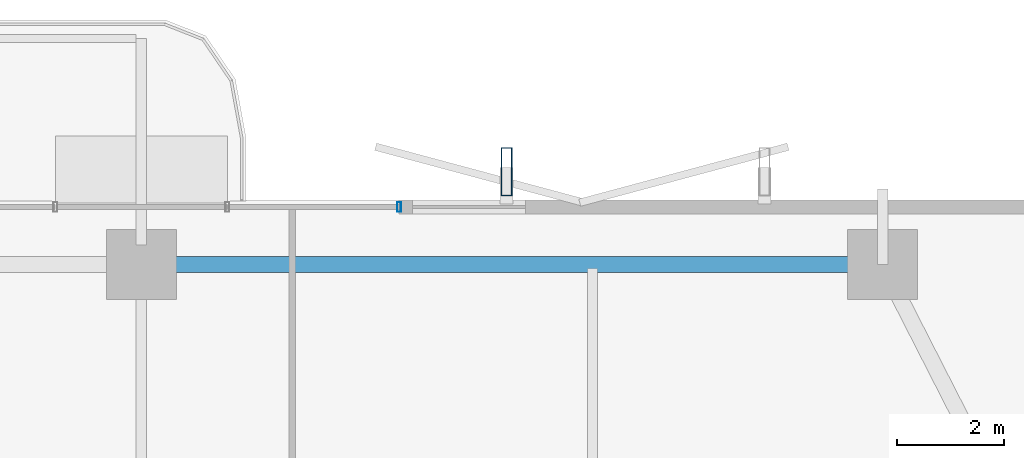
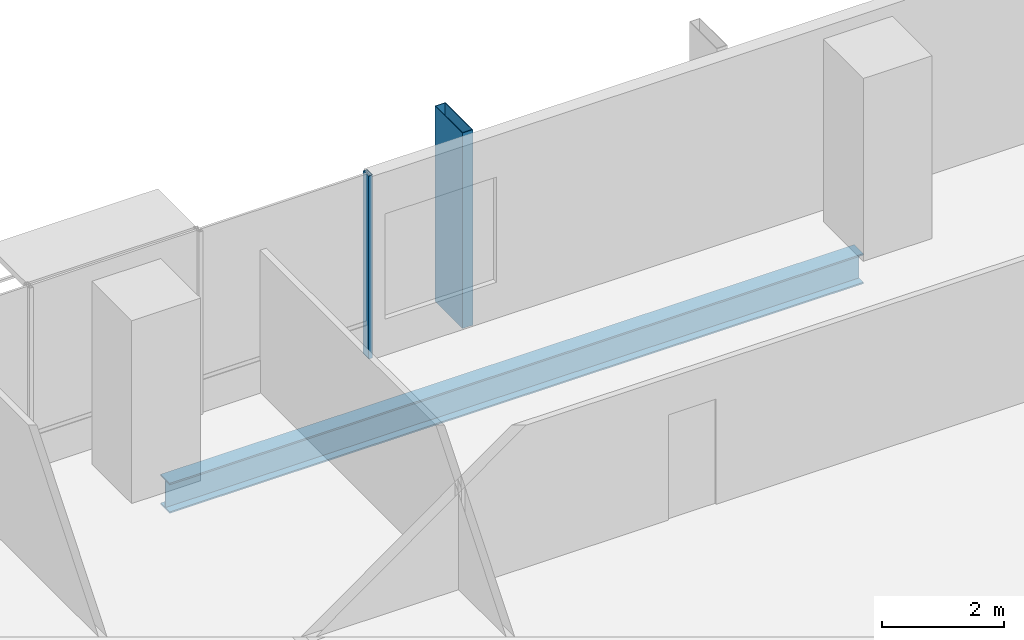
# One storey, part 15 of 24: 2 members, 1 beam, 1 element without a shape of its own.
"""IFC4 building model written with IfcOpenShell, lengths in metres."""

from ifc_helpers import new_model, si_unit, direction, frame, origin, origin_2d, place, context, subcontext, project, spatial, hollow_rectangle, i_section, extrude, material, layer, layer_set, material_profile, profile_set, type_object, element, aggregate, save


model = new_model("IFC4")

# Units and contexts
model_context = context("Model", 3, precision=1e-05, world=origin(), true_north=direction((0.0, 1.0)))
body_context = subcontext(model_context, "Body", "Model", "MODEL_VIEW")
ifc_project = project(units=[si_unit("LENGTHUNIT", "METRE"), si_unit("AREAUNIT", "SQUARE_METRE"), si_unit("VOLUMEUNIT", "CUBIC_METRE"), si_unit("PLANEANGLEUNIT", "RADIAN"), si_unit("MASSUNIT", "GRAM", prefix="KILO")], contexts=[model_context])

# Site, building, storey
site_placement = place(None, origin())
site = spatial("IfcSite", under=ifc_project, at=site_placement, CompositionType="ELEMENT")
building_placement = place(site_placement, origin())
building = spatial("IfcBuilding", under=site, at=building_placement, Name="Belovzor Exchange Tower", CompositionType="ELEMENT")
storey_placement = place(building_placement, frame((0.0, 0.0, 129.0)))
storey = spatial("IfcBuildingStorey", under=building, at=storey_placement, Name="L31", CompositionType="ELEMENT", Elevation=129.0)

# Member
ifc_material_1 = material(Name="Extruded Architectural Terracotta on Steel S355 Carrier", Category="masonry")
ifc_material_profile_1 = material_profile(ifc_material_1, hollow_rectangle(XDim=0.199951171875, YDim=0.89990234375, WallThickness=0.011962890625, at=origin_2d()))
ifc_profile_set_1 = profile_set([ifc_material_profile_1], Name="Extruded Architectural Terracotta on Steel S355 Carrier")
member_type_1 = type_object("IfcMemberType", Name="Sweeping Terracotta Baguette Fin Assembly 1250", PredefinedType="USERDEFINED", material=ifc_profile_set_1)
member_1_placement = place(storey_placement, frame((35.60009765625, 55.425048828125, -0.25), z_axis=(0.0, 0.0, 1.0), x_axis=(1.0, 0.0, 0.0)))
element("IfcMember", 1, at=member_1_placement, inside=storey, type_object=member_type_1, Name="FIN-TC125 Terracotta Facade Fin L31 N3", ObjectType="FIN", PredefinedType="USERDEFINED", context=body_context, shape_type="SweptSolid", body=[
    extrude(hollow_rectangle(XDim=0.199951171875, YDim=0.89990234375, WallThickness=0.011962890625, at=origin_2d()), origin(), (0.0, 0.0, 1.0), 3.89990234375),
])

# Curtain wall, member
ifc_material_2 = material(Name="Anodised Aluminium Framing", Category="aluminium")
ifc_layer = layer(ifc_material_2, 0.179931640625)
ifc_layer_set = layer_set([ifc_layer], Name="Anodised Aluminium Framing")
curtain_wall_type = type_object("IfcCurtainWallType", Name="Recessed Loggia Low-Iron Triple-Glazed Curtain Wall", PredefinedType="NOTDEFINED", material=ifc_layer_set)
curtain_wall_placement = place(storey_placement, origin())
curtain_wall = element("IfcCurtainWall", 2, at=curtain_wall_placement, inside=storey, type_object=curtain_wall_type, Name="CW3 Recessed Loggia Low-Iron Triple-Glazed Curtain Wall L31", PredefinedType="NOTDEFINED")
ifc_material_3 = material(Name="Steel S355", Category="steel")
ifc_material_profile_2 = material_profile(ifc_material_3, hollow_rectangle(XDim=0.074951171875, YDim=0.179931640625, WallThickness=0.0048828125, at=origin_2d()))
ifc_profile_set_2 = profile_set([ifc_material_profile_2], Name="Steel S355")
member_type_2 = type_object("IfcMemberType", Name="Thermally Broken Curtain Wall Mullion 180x75", PredefinedType="MULLION", material=ifc_profile_set_2)
member_2_placement = place(storey_placement, frame((33.60009765625, 54.77001953125, 0.0), z_axis=(0.0, 0.0, 1.0), x_axis=(1.0, 0.0, 0.0)))
member_2 = element("IfcMember", 3, at=member_2_placement, type_object=member_type_2, Name="CW-M180 Curtain Wall Mullion 4", PredefinedType="MULLION", context=body_context, shape_type="SweptSolid", body=[
    extrude(hollow_rectangle(XDim=0.074951171875, YDim=0.179931640625, WallThickness=0.0048828125, at=origin_2d()), origin(), (0.0, 0.0, 1.0), 3.64990234375),
])
aggregate(curtain_wall, [member_2])

# Beam
ifc_material_4 = material(Name="Steel S355", Category="steel")
ifc_material_profile_3 = material_profile(ifc_material_4, i_section(OverallWidth=0.300048828125, OverallDepth=0.60009765625, WebThickness=0.015380859375, FlangeThickness=0.030029296875, at=origin_2d()))
ifc_profile_set_3 = profile_set([ifc_material_profile_3], Name="Steel S355")
beam_type = type_object("IfcBeamType", Name="Zone 2 Primary Perimeter Girder HEB 600", PredefinedType="BEAM", material=ifc_profile_set_3)
beam_placement = place(storey_placement, frame((42.241943359375, 53.699951171875, -0.550048828125), z_axis=(-1.0, 0.0, 0.0), x_axis=(0.0, -1.0, 0.0)))
element("IfcBeam", 4, at=beam_placement, inside=storey, type_object=beam_type, Name="FG-Z2 Zone 2 Primary Perimeter Girder HEB 600", PredefinedType="BEAM", context=body_context, shape_type="SweptSolid", body=[
    extrude(i_section(OverallWidth=0.300048828125, OverallDepth=0.60009765625, WebThickness=0.015380859375, FlangeThickness=0.030029296875, at=origin_2d()), origin(), (0.0, 0.0, 1.0), 13.083984375),
])

save(model, "model.ifc")
